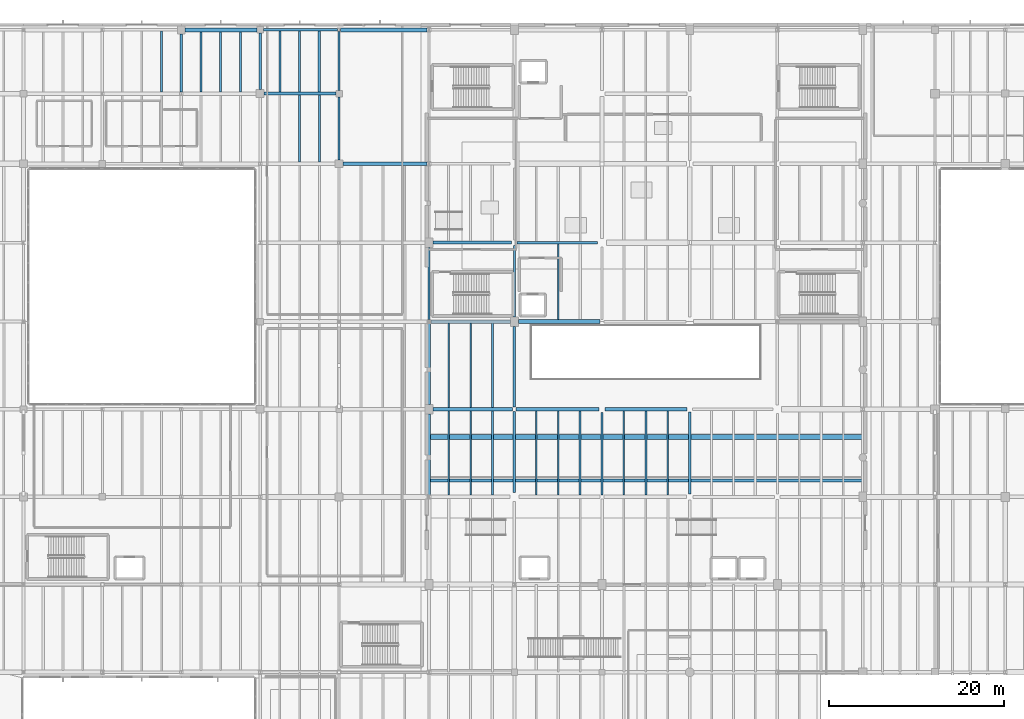
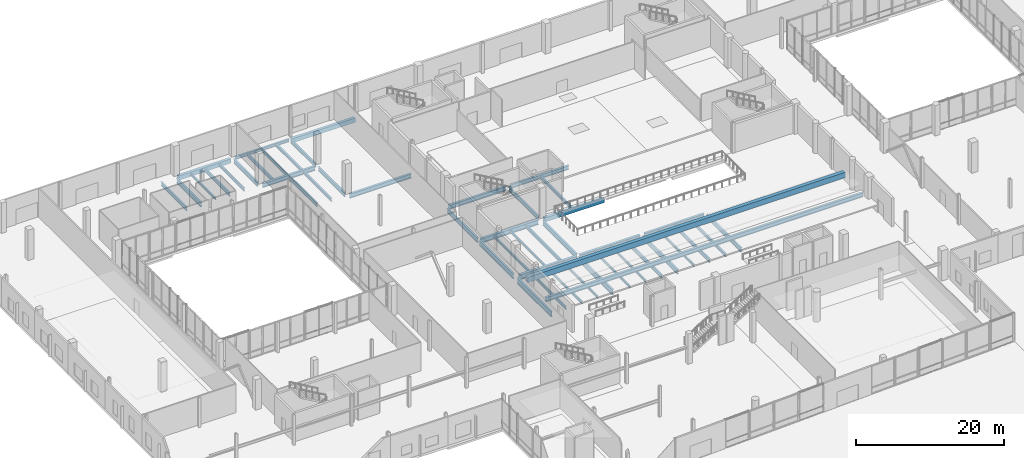
# One storey, part 43 of 88: 48 beams.
"""IFC4 building model written with IfcOpenShell, lengths in metres."""

from ifc_helpers import new_model, si_unit, direction, frame, origin, origin_2d, place, context, subcontext, project, spatial, rectangle, i_section, extrude, material, material_profile, profile_set, type_object, element, save


model = new_model("IFC4")

# Units and contexts
model_context = context("Model", 3, precision=1e-05, world=origin(), true_north=direction((0.0, 1.0)))
body_context = subcontext(model_context, "Body", "Model", "MODEL_VIEW")
ifc_project = project(units=[si_unit("LENGTHUNIT", "METRE"), si_unit("AREAUNIT", "SQUARE_METRE"), si_unit("VOLUMEUNIT", "CUBIC_METRE"), si_unit("PLANEANGLEUNIT", "RADIAN"), si_unit("MASSUNIT", "GRAM", prefix="KILO")], contexts=[model_context])

# Site, building, storey
site_placement = place(None, origin())
site = spatial("IfcSite", under=ifc_project, at=site_placement, CompositionType="ELEMENT")
building_placement = place(site_placement, origin())
building = spatial("IfcBuilding", under=site, at=building_placement, Name="Trimount Lyric Opera House", CompositionType="ELEMENT")
storey_placement = place(building_placement, origin())
storey = spatial("IfcBuildingStorey", under=building, at=storey_placement, Name="L00", CompositionType="ELEMENT", Elevation=0.0)

# Beams
ifc_material_1 = material(Name="Steel ASTM A992 Grade 50", Category="steel")
ifc_material_profile_1 = material_profile(ifc_material_1, i_section(OverallWidth=0.304931640625, OverallDepth=0.9189453125, WebThickness=0.017333984375, FlangeThickness=0.02783203125, FilletRadius=0.02001953125, at=origin_2d()), Name="W36X170")
ifc_profile_set_1 = profile_set([ifc_material_profile_1], Name="Steel ASTM A992 Grade 50")
beam_type_1 = type_object("IfcBeamType", Name="B-03", PredefinedType="BEAM", material=ifc_profile_set_1)
beam_1_placement = place(storey_placement, frame((64.260009765625, 64.232421875, -0.859619140625), z_axis=(0.0, 1.0, 0.0), x_axis=(-1.0, 0.0, 0.0)))
element("IfcBeam", 1, at=beam_1_placement, inside=storey, type_object=beam_type_1, Name="L00 girder Y-0316", PredefinedType="BEAM", context=body_context, shape_type="SweptSolid", body=[
    extrude(i_section(OverallWidth=0.304931640625, OverallDepth=0.9189453125, WebThickness=0.017333984375, FlangeThickness=0.02783203125, FilletRadius=0.02001953125, at=origin_2d()), origin(), (0.0, 0.0, 1.0), 9.217529296875),
])
ifc_material_2 = material(Name="Steel ASTM A992 Grade 50", Category="steel")
ifc_material_profile_2 = material_profile(ifc_material_2, i_section(OverallWidth=0.40087890625, OverallDepth=0.861083984375, WebThickness=0.019775390625, FlangeThickness=0.032470703125, FilletRadius=0.02001953125, at=origin_2d()), Name="W33X221")
ifc_profile_set_2 = profile_set([ifc_material_profile_2], Name="Steel ASTM A992 Grade 50")
beam_type_2 = type_object("IfcBeamType", Name="B-04", PredefinedType="BEAM", material=ifc_profile_set_2)
beam_2_placement = place(storey_placement, frame((64.7099609375, 74.0, -0.83056640625), z_axis=(1.0, 0.0, 0.0), x_axis=(0.0, 1.0, 0.0)))
element("IfcBeam", 2, at=beam_2_placement, inside=storey, type_object=beam_type_2, Name="L00 girder X-0148", PredefinedType="BEAM", context=body_context, shape_type="SweptSolid", body=[
    extrude(i_section(OverallWidth=0.40087890625, OverallDepth=0.861083984375, WebThickness=0.019775390625, FlangeThickness=0.032470703125, FilletRadius=0.02001953125, at=origin_2d()), origin(), (0.0, 0.0, 1.0), 9.0791015625),
])
ifc_material_3 = material(Name="Steel ASTM A992 Grade 50", Category="steel")
ifc_material_profile_3 = material_profile(ifc_material_3, i_section(OverallWidth=0.2919921875, OverallDepth=0.845947265625, WebThickness=0.015380859375, FlangeThickness=0.0244140625, FilletRadius=0.01806640625, at=origin_2d()), Name="W33X141")
ifc_profile_set_3 = profile_set([ifc_material_profile_3], Name="Steel ASTM A992 Grade 50")
beam_type_3 = type_object("IfcBeamType", Name="B-05", PredefinedType="BEAM", material=ifc_profile_set_3)
beam_3_placement = place(storey_placement, frame((64.260009765625, 74.550048828125, -0.822998046875), z_axis=(0.0, 1.0, 0.0), x_axis=(-1.0, 0.0, 0.0)))
element("IfcBeam", 3, at=beam_3_placement, inside=storey, type_object=beam_type_3, Name="L00 girder Y-0317", PredefinedType="BEAM", context=body_context, shape_type="SweptSolid", body=[
    extrude(i_section(OverallWidth=0.2919921875, OverallDepth=0.845947265625, WebThickness=0.015380859375, FlangeThickness=0.0244140625, FilletRadius=0.01806640625, at=origin_2d()), origin(), (0.0, 0.0, 1.0), 9.217529296875),
])
beam_4_placement = place(storey_placement, frame((74.0, 64.5, -0.822998046875), z_axis=(0.0, 1.0, 0.0), x_axis=(-1.0, 0.0, 0.0)))
element("IfcBeam", 4, at=beam_4_placement, inside=storey, type_object=beam_type_3, Name="L00 girder Y-0328", PredefinedType="BEAM", context=body_context, shape_type="SweptSolid", body=[
    extrude(i_section(OverallWidth=0.2919921875, OverallDepth=0.845947265625, WebThickness=0.015380859375, FlangeThickness=0.0244140625, FilletRadius=0.01806640625, at=origin_2d()), origin(), (0.0, 0.0, 1.0), 9.267578125),
])
ifc_material_4 = material(Name="Steel ASTM A992 Grade 50", Category="steel")
ifc_material_profile_4 = material_profile(ifc_material_4, i_section(OverallWidth=0.382080078125, OverallDepth=0.779052734375, WebThickness=0.01806640625, FlangeThickness=0.0302734375, FilletRadius=0.01904296875, at=origin_2d()), Name="W30X191")
ifc_profile_set_4 = profile_set([ifc_material_profile_4], Name="Steel ASTM A992 Grade 50")
beam_type_4 = type_object("IfcBeamType", Name="B-06", PredefinedType="BEAM", material=ifc_profile_set_4)
beam_5_placement = place(storey_placement, frame((74.2109375, 74.0, -0.78955078125), z_axis=(1.0, 0.0, 0.0), x_axis=(0.0, 1.0, 0.0)))
element("IfcBeam", 5, at=beam_5_placement, inside=storey, type_object=beam_type_4, Name="L00 girder X-0149", PredefinedType="BEAM", context=body_context, shape_type="SweptSolid", body=[
    extrude(i_section(OverallWidth=0.382080078125, OverallDepth=0.779052734375, WebThickness=0.01806640625, FlangeThickness=0.0302734375, FilletRadius=0.01904296875, at=origin_2d()), origin(), (0.0, 0.0, 1.0), 9.43896484375),
])
beam_6_placement = place(storey_placement, frame((64.470947265625, 84.0, -0.78955078125), z_axis=(1.0, 0.0, 0.0), x_axis=(0.0, 1.0, 0.0)))
element("IfcBeam", 6, at=beam_6_placement, inside=storey, type_object=beam_type_4, Name="L00 girder X-0164", PredefinedType="BEAM", context=body_context, shape_type="SweptSolid", body=[
    extrude(i_section(OverallWidth=0.382080078125, OverallDepth=0.779052734375, WebThickness=0.01806640625, FlangeThickness=0.0302734375, FilletRadius=0.01904296875, at=origin_2d()), origin(), (0.0, 0.0, 1.0), 9.0791015625),
])
ifc_material_5 = material(Name="Steel ASTM A992 Grade 50", Category="steel")
ifc_material_profile_5 = material_profile(ifc_material_5, i_section(OverallWidth=0.26708984375, OverallDepth=0.761962890625, WebThickness=0.014404296875, FlangeThickness=0.021484375, FilletRadius=0.01708984375, at=origin_2d()), Name="W30X116")
ifc_profile_set_5 = profile_set([ifc_material_profile_5], Name="Steel ASTM A992 Grade 50")
beam_type_5 = type_object("IfcBeamType", Name="B-07", PredefinedType="BEAM", material=ifc_profile_set_5)
beam_7_placement = place(storey_placement, frame((36.0, 110.18408203125, -0.73095703125), z_axis=(0.0, 1.0, 0.0), x_axis=(-1.0, 0.0, 0.0)))
element("IfcBeam", 7, at=beam_7_placement, inside=storey, type_object=beam_type_5, Name="L00 girder Y-0282", PredefinedType="BEAM", context=body_context, shape_type="SweptSolid", body=[
    extrude(i_section(OverallWidth=0.26708984375, OverallDepth=0.761962890625, WebThickness=0.014404296875, FlangeThickness=0.021484375, FilletRadius=0.01708984375, at=origin_2d()), origin(), (0.0, 0.0, 1.0), 6.64599609375),
])
beam_8_placement = place(storey_placement, frame((64.260009765625, 84.232421875, -0.781005859375), z_axis=(0.0, 1.0, 0.0), x_axis=(-1.0, 0.0, 0.0)))
element("IfcBeam", 8, at=beam_8_placement, inside=storey, type_object=beam_type_5, Name="L00 girder Y-0318", PredefinedType="BEAM", context=body_context, shape_type="SweptSolid", body=[
    extrude(i_section(OverallWidth=0.26708984375, OverallDepth=0.761962890625, WebThickness=0.014404296875, FlangeThickness=0.021484375, FilletRadius=0.01708984375, at=origin_2d()), origin(), (0.0, 0.0, 1.0), 8.217529296875),
])
beam_9_placement = place(storey_placement, frame((74.0, 74.232421875, -0.781005859375), z_axis=(0.0, 1.0, 0.0), x_axis=(-1.0, 0.0, 0.0)))
element("IfcBeam", 9, at=beam_9_placement, inside=storey, type_object=beam_type_5, Name="L00 girder Y-0329", PredefinedType="BEAM", context=body_context, shape_type="SweptSolid", body=[
    extrude(i_section(OverallWidth=0.26708984375, OverallDepth=0.761962890625, WebThickness=0.014404296875, FlangeThickness=0.021484375, FilletRadius=0.01708984375, at=origin_2d()), origin(), (0.0, 0.0, 1.0), 9.217529296875),
])
beam_10_placement = place(storey_placement, frame((84.0, 64.232421875, -0.781005859375), z_axis=(0.0, 1.0, 0.0), x_axis=(-1.0, 0.0, 0.0)))
element("IfcBeam", 10, at=beam_10_placement, inside=storey, type_object=beam_type_5, Name="L00 girder Y-0340", PredefinedType="BEAM", context=body_context, shape_type="SweptSolid", body=[
    extrude(i_section(OverallWidth=0.26708984375, OverallDepth=0.761962890625, WebThickness=0.014404296875, FlangeThickness=0.021484375, FilletRadius=0.01708984375, at=origin_2d()), origin(), (0.0, 0.0, 1.0), 9.41748046875),
])
ifc_material_6 = material(Name="Steel ASTM A992 Grade 50", Category="steel")
ifc_material_profile_6 = material_profile(ifc_material_6, i_section(OverallWidth=0.35595703125, OverallDepth=0.700927734375, WebThickness=0.016845703125, FlangeThickness=0.02734375, FilletRadius=0.01806640625, at=origin_2d()), Name="W27X161")
ifc_profile_set_6 = profile_set([ifc_material_profile_6], Name="Steel ASTM A992 Grade 50")
beam_type_6 = type_object("IfcBeamType", Name="B-08", PredefinedType="BEAM", material=ifc_profile_set_6)
beam_11_placement = place(storey_placement, frame((84.35009765625, 74.0, -0.75048828125), z_axis=(1.0, 0.0, 0.0), x_axis=(0.0, 1.0, 0.0)))
element("IfcBeam", 11, at=beam_11_placement, inside=storey, type_object=beam_type_6, Name="L00 girder X-0150", PredefinedType="BEAM", context=body_context, shape_type="SweptSolid", body=[
    extrude(i_section(OverallWidth=0.35595703125, OverallDepth=0.700927734375, WebThickness=0.016845703125, FlangeThickness=0.02734375, FilletRadius=0.01806640625, at=origin_2d()), origin(), (0.0, 0.0, 1.0), 9.324951171875),
])
beam_12_placement = place(storey_placement, frame((64.7099609375, 93.0, -0.75048828125), z_axis=(1.0, 0.0, 0.0), x_axis=(0.0, 1.0, 0.0)))
element("IfcBeam", 12, at=beam_12_placement, inside=storey, type_object=beam_type_6, Name="L00 girder X-0177", PredefinedType="BEAM", context=body_context, shape_type="SweptSolid", body=[
    extrude(i_section(OverallWidth=0.35595703125, OverallDepth=0.700927734375, WebThickness=0.016845703125, FlangeThickness=0.02734375, FilletRadius=0.01806640625, at=origin_2d()), origin(), (0.0, 0.0, 1.0), 8.965087890625),
])
beam_13_placement = place(storey_placement, frame((54.449951171875, 102.0, -0.75048828125), z_axis=(1.0, 0.0, 0.0), x_axis=(0.0, 1.0, 0.0)))
element("IfcBeam", 13, at=beam_13_placement, inside=storey, type_object=beam_type_6, Name="L00 girder X-0192", PredefinedType="BEAM", context=body_context, shape_type="SweptSolid", body=[
    extrude(i_section(OverallWidth=0.35595703125, OverallDepth=0.700927734375, WebThickness=0.016845703125, FlangeThickness=0.02734375, FilletRadius=0.01806640625, at=origin_2d()), origin(), (0.0, 0.0, 1.0), 9.59912109375),
])
beam_14_placement = place(storey_placement, frame((45.449951171875, 110.0, -0.700439453125), z_axis=(1.0, 0.0, 0.0), x_axis=(0.0, 1.0, 0.0)))
element("IfcBeam", 14, at=beam_14_placement, inside=storey, type_object=beam_type_6, Name="L00 girder X-0210", PredefinedType="BEAM", context=body_context, shape_type="SweptSolid", body=[
    extrude(i_section(OverallWidth=0.35595703125, OverallDepth=0.700927734375, WebThickness=0.016845703125, FlangeThickness=0.02734375, FilletRadius=0.01806640625, at=origin_2d()), origin(), (0.0, 0.0, 1.0), 8.175048828125),
])
ifc_material_7 = material(Name="Steel ASTM A992 Grade 50", Category="steel")
ifc_material_profile_7 = material_profile(ifc_material_7, i_section(OverallWidth=0.25390625, OverallDepth=0.68798828125, WebThickness=0.01318359375, FlangeThickness=0.02099609375, FilletRadius=0.01611328125, at=origin_2d()), Name="W27X102")
ifc_profile_set_7 = profile_set([ifc_material_profile_7], Name="Steel ASTM A992 Grade 50")
beam_type_7 = type_object("IfcBeamType", Name="B-09", PredefinedType="BEAM", material=ifc_profile_set_7)
beam_15_placement = place(storey_placement, frame((45.0, 110.449951171875, -0.694091796875), z_axis=(0.0, 1.0, 0.0), x_axis=(-1.0, 0.0, 0.0)))
element("IfcBeam", 15, at=beam_15_placement, inside=storey, type_object=beam_type_7, Name="L00 girder Y-0295", PredefinedType="BEAM", context=body_context, shape_type="SweptSolid", body=[
    extrude(i_section(OverallWidth=0.25390625, OverallDepth=0.68798828125, WebThickness=0.01318359375, FlangeThickness=0.02099609375, FilletRadius=0.01611328125, at=origin_2d()), origin(), (0.0, 0.0, 1.0), 6.455078125),
])
beam_16_placement = place(storey_placement, frame((54.0, 102.449951171875, -0.694091796875), z_axis=(0.0, 1.0, 0.0), x_axis=(-1.0, 0.0, 0.0)))
element("IfcBeam", 16, at=beam_16_placement, inside=storey, type_object=beam_type_7, Name="L00 girder Y-0307", PredefinedType="BEAM", context=body_context, shape_type="SweptSolid", body=[
    extrude(i_section(OverallWidth=0.25390625, OverallDepth=0.68798828125, WebThickness=0.01318359375, FlangeThickness=0.02099609375, FilletRadius=0.01611328125, at=origin_2d()), origin(), (0.0, 0.0, 1.0), 7.175048828125),
])
beam_17_placement = place(storey_placement, frame((74.0, 84.550048828125, -0.743896484375), z_axis=(0.0, 1.0, 0.0), x_axis=(-1.0, 0.0, 0.0)))
element("IfcBeam", 17, at=beam_17_placement, inside=storey, type_object=beam_type_7, Name="L00 girder Y-0330", PredefinedType="BEAM", context=body_context, shape_type="SweptSolid", body=[
    extrude(i_section(OverallWidth=0.25390625, OverallDepth=0.68798828125, WebThickness=0.01318359375, FlangeThickness=0.02099609375, FilletRadius=0.01611328125, at=origin_2d()), origin(), (0.0, 0.0, 1.0), 8.125),
])
beam_18_placement = place(storey_placement, frame((94.0, 64.35009765625, -0.743896484375), z_axis=(0.0, 1.0, 0.0), x_axis=(-1.0, 0.0, 0.0)))
element("IfcBeam", 18, at=beam_18_placement, inside=storey, type_object=beam_type_7, Name="L00 girder Y-0352", PredefinedType="BEAM", context=body_context, shape_type="SweptSolid", body=[
    extrude(i_section(OverallWidth=0.25390625, OverallDepth=0.68798828125, WebThickness=0.01318359375, FlangeThickness=0.02099609375, FilletRadius=0.01611328125, at=origin_2d()), origin(), (0.0, 0.0, 1.0), 9.324951171875),
])
ifc_material_8 = material(Name="Steel ASTM A992 Grade 50", Category="steel")
ifc_material_profile_8 = material_profile(ifc_material_8, i_section(OverallWidth=0.327880859375, OverallDepth=0.626953125, WebThickness=0.0166015625, FlangeThickness=0.027587890625, FilletRadius=0.01611328125, at=origin_2d()), Name="W24X146")
ifc_profile_set_8 = profile_set([ifc_material_profile_8], Name="Steel ASTM A992 Grade 50")
beam_type_8 = type_object("IfcBeamType", Name="B-10", PredefinedType="BEAM", material=ifc_profile_set_8)
beam_19_placement = place(storey_placement, frame((74.324951171875, 93.0, -0.71337890625), z_axis=(1.0, 0.0, 0.0), x_axis=(0.0, 1.0, 0.0)))
element("IfcBeam", 19, at=beam_19_placement, inside=storey, type_object=beam_type_8, Name="L00 girder X-0178", PredefinedType="BEAM", context=body_context, shape_type="SweptSolid", body=[
    extrude(i_section(OverallWidth=0.327880859375, OverallDepth=0.626953125, WebThickness=0.0166015625, FlangeThickness=0.027587890625, FilletRadius=0.01611328125, at=origin_2d()), origin(), (0.0, 0.0, 1.0), 9.175048828125),
])
ifc_material_9 = material(Name="Steel ASTM A992 Grade 50", Category="steel")
ifc_material_profile_9 = material_profile(ifc_material_9, i_section(OverallWidth=0.22998046875, OverallDepth=0.616943359375, WebThickness=0.01318359375, FlangeThickness=0.022216796875, FilletRadius=0.013916015625, at=origin_2d()), Name="W24X94")
ifc_profile_set_9 = profile_set([ifc_material_profile_9], Name="Steel ASTM A992 Grade 50")
beam_type_9 = type_object("IfcBeamType", Name="B-11", PredefinedType="BEAM", material=ifc_profile_set_9)
beam_20_placement = place(storey_placement, frame((54.0, 110.375, -0.658447265625), z_axis=(0.0, 1.0, 0.0), x_axis=(-1.0, 0.0, 0.0)))
element("IfcBeam", 20, at=beam_20_placement, inside=storey, type_object=beam_type_9, Name="L00 girder Y-0308", PredefinedType="BEAM", context=body_context, shape_type="SweptSolid", body=[
    extrude(i_section(OverallWidth=0.22998046875, OverallDepth=0.616943359375, WebThickness=0.01318359375, FlangeThickness=0.022216796875, FilletRadius=0.013916015625, at=origin_2d()), origin(), (0.0, 0.0, 1.0), 6.72705078125),
])
ifc_material_10 = material(Name="Steel ASTM A992 Grade 50", Category="steel")
ifc_material_profile_10 = material_profile(ifc_material_10, i_section(OverallWidth=0.22802734375, OverallDepth=0.60205078125, WebThickness=0.010498046875, FlangeThickness=0.014892578125, FilletRadius=0.012939453125, at=origin_2d()), Name="W24X68")
ifc_profile_set_10 = profile_set([ifc_material_profile_10], Name="Steel ASTM A992 Grade 50")
beam_type_10 = type_object("IfcBeamType", Name="J-01", PredefinedType="BEAM", material=ifc_profile_set_10)
beam_21_placement = place(storey_placement, frame((33.75, 110.196533203125, -0.65087890625), z_axis=(0.0, 1.0, 0.0), x_axis=(-1.0, 0.0, 0.0)))
element("IfcBeam", 21, at=beam_21_placement, inside=storey, type_object=beam_type_10, Name="L00 composite floor joist 0097", PredefinedType="BEAM", context=body_context, shape_type="SweptSolid", body=[
    extrude(i_section(OverallWidth=0.22802734375, OverallDepth=0.60205078125, WebThickness=0.010498046875, FlangeThickness=0.014892578125, FilletRadius=0.012939453125, at=origin_2d()), origin(), (0.0, 0.0, 1.0), 6.946533203125),
])
beam_22_placement = place(storey_placement, frame((40.5, 110.18701171875, -0.65087890625), z_axis=(0.0, 1.0, 0.0), x_axis=(-1.0, 0.0, 0.0)))
element("IfcBeam", 22, at=beam_22_placement, inside=storey, type_object=beam_type_10, Name="L00 composite floor joist 0114", PredefinedType="BEAM", context=body_context, shape_type="SweptSolid", body=[
    extrude(i_section(OverallWidth=0.22802734375, OverallDepth=0.60205078125, WebThickness=0.010498046875, FlangeThickness=0.014892578125, FilletRadius=0.012939453125, at=origin_2d()), origin(), (0.0, 0.0, 1.0), 6.8720703125),
])
beam_23_placement = place(storey_placement, frame((49.5, 102.18701171875, -0.65087890625), z_axis=(0.0, 1.0, 0.0), x_axis=(-1.0, 0.0, 0.0)))
element("IfcBeam", 23, at=beam_23_placement, inside=storey, type_object=beam_type_10, Name="L00 composite floor joist 0149", PredefinedType="BEAM", context=body_context, shape_type="SweptSolid", body=[
    extrude(i_section(OverallWidth=0.22802734375, OverallDepth=0.60205078125, WebThickness=0.010498046875, FlangeThickness=0.014892578125, FilletRadius=0.012939453125, at=origin_2d()), origin(), (0.0, 0.0, 1.0), 7.638916015625),
])
beam_24_placement = place(storey_placement, frame((47.25, 110.174072265625, -0.65087890625), z_axis=(0.0, 1.0, 0.0), x_axis=(-1.0, 0.0, 0.0)))
element("IfcBeam", 24, at=beam_24_placement, inside=storey, type_object=beam_type_10, Name="L00 composite floor joist 0151", PredefinedType="BEAM", context=body_context, shape_type="SweptSolid", body=[
    extrude(i_section(OverallWidth=0.22802734375, OverallDepth=0.60205078125, WebThickness=0.010498046875, FlangeThickness=0.014892578125, FilletRadius=0.012939453125, at=origin_2d()), origin(), (0.0, 0.0, 1.0), 6.968994140625),
])
for number, where, z_axis, x_axis, name in (
    (25, (71.5, 74.196533203125, -0.700927734375), (0.0, 1.0, 0.0), (-1.0, 0.0, 0.0), "L00 composite floor joist 0210"),
    (26, (81.5, 64.196533203125, -0.700927734375), (0.0, 1.0, 0.0), (-1.0, 0.0, 0.0), "L00 composite floor joist 0236"),
):
    element("IfcBeam", number, at=place(storey_placement, frame(where, z_axis=z_axis, x_axis=x_axis)), inside=storey, type_object=beam_type_10, Name=name, PredefinedType="BEAM", context=body_context, shape_type="SweptSolid", body=[
        extrude(i_section(OverallWidth=0.22802734375, OverallDepth=0.60205078125, WebThickness=0.010498046875, FlangeThickness=0.014892578125, FilletRadius=0.012939453125, at=origin_2d()), origin(), (0.0, 0.0, 1.0), 9.616455078125),
    ])
beam_25_placement = place(storey_placement, frame((89.0, 64.18701171875, -0.700927734375), z_axis=(0.0, 1.0, 0.0), x_axis=(-1.0, 0.0, 0.0)))
element("IfcBeam", 27, at=beam_25_placement, inside=storey, type_object=beam_type_10, Name="L00 composite floor joist 0264", PredefinedType="BEAM", context=body_context, shape_type="SweptSolid", body=[
    extrude(i_section(OverallWidth=0.22802734375, OverallDepth=0.60205078125, WebThickness=0.010498046875, FlangeThickness=0.014892578125, FilletRadius=0.012939453125, at=origin_2d()), origin(), (0.0, 0.0, 1.0), 9.638916015625),
])
ifc_material_11 = material(Name="Steel ASTM A992 Grade 50", Category="steel")
ifc_material_profile_11 = material_profile(ifc_material_11, i_section(OverallWidth=0.2099609375, OverallDepth=0.532958984375, WebThickness=0.01025390625, FlangeThickness=0.015625, FilletRadius=0.012939453125, at=origin_2d()), Name="W21X62")
ifc_profile_set_11 = profile_set([ifc_material_profile_11], Name="Steel ASTM A992 Grade 50")
beam_type_11 = type_object("IfcBeamType", Name="J-02", PredefinedType="BEAM", material=ifc_profile_set_11)
beam_26_placement = place(storey_placement, frame((42.75, 110.18701171875, -0.616455078125), z_axis=(0.0, 1.0, 0.0), x_axis=(-1.0, 0.0, 0.0)))
element("IfcBeam", 28, at=beam_26_placement, inside=storey, type_object=beam_type_11, Name="L00 composite floor joist 0115", PredefinedType="BEAM", context=body_context, shape_type="SweptSolid", body=[
    extrude(i_section(OverallWidth=0.2099609375, OverallDepth=0.532958984375, WebThickness=0.01025390625, FlangeThickness=0.015625, FilletRadius=0.012939453125, at=origin_2d()), origin(), (0.0, 0.0, 1.0), 6.8720703125),
])
beam_27_placement = place(storey_placement, frame((51.75, 102.18701171875, -0.616455078125), z_axis=(0.0, 1.0, 0.0), x_axis=(-1.0, 0.0, 0.0)))
element("IfcBeam", 29, at=beam_27_placement, inside=storey, type_object=beam_type_11, Name="L00 composite floor joist 0150", PredefinedType="BEAM", context=body_context, shape_type="SweptSolid", body=[
    extrude(i_section(OverallWidth=0.2099609375, OverallDepth=0.532958984375, WebThickness=0.01025390625, FlangeThickness=0.015625, FilletRadius=0.012939453125, at=origin_2d()), origin(), (0.0, 0.0, 1.0), 7.638916015625),
])
beam_28_placement = place(storey_placement, frame((49.5, 110.174072265625, -0.616455078125), z_axis=(0.0, 1.0, 0.0), x_axis=(-1.0, 0.0, 0.0)))
element("IfcBeam", 30, at=beam_28_placement, inside=storey, type_object=beam_type_11, Name="L00 composite floor joist 0152", PredefinedType="BEAM", context=body_context, shape_type="SweptSolid", body=[
    extrude(i_section(OverallWidth=0.2099609375, OverallDepth=0.532958984375, WebThickness=0.01025390625, FlangeThickness=0.015625, FilletRadius=0.012939453125, at=origin_2d()), origin(), (0.0, 0.0, 1.0), 6.968994140625),
])
beam_29_placement = place(storey_placement, frame((79.0, 84.220947265625, -0.66650390625), z_axis=(0.0, 1.0, 0.0), x_axis=(-1.0, 0.0, 0.0)))
element("IfcBeam", 31, at=beam_29_placement, inside=storey, type_object=beam_type_11, Name="L00 composite floor joist 0237", PredefinedType="BEAM", context=body_context, shape_type="SweptSolid", body=[
    extrude(i_section(OverallWidth=0.2099609375, OverallDepth=0.532958984375, WebThickness=0.01025390625, FlangeThickness=0.015625, FilletRadius=0.012939453125, at=origin_2d()), origin(), (0.0, 0.0, 1.0), 8.619140625),
])
beam_30_placement = place(storey_placement, frame((91.5, 64.18701171875, -0.66650390625), z_axis=(0.0, 1.0, 0.0), x_axis=(-1.0, 0.0, 0.0)))
element("IfcBeam", 32, at=beam_30_placement, inside=storey, type_object=beam_type_11, Name="L00 composite floor joist 0265", PredefinedType="BEAM", context=body_context, shape_type="SweptSolid", body=[
    extrude(i_section(OverallWidth=0.2099609375, OverallDepth=0.532958984375, WebThickness=0.01025390625, FlangeThickness=0.015625, FilletRadius=0.012939453125, at=origin_2d()), origin(), (0.0, 0.0, 1.0), 9.638916015625),
])
ifc_material_12 = material(Name="Steel ASTM A992 Grade 50", Category="steel")
ifc_material_profile_12 = material_profile(ifc_material_12, i_section(OverallWidth=0.281982421875, OverallDepth=0.467041015625, WebThickness=0.01220703125, FlangeThickness=0.01953125, FilletRadius=0.012939453125, at=origin_2d()), Name="W18X86")
ifc_profile_set_12 = profile_set([ifc_material_profile_12], Name="Steel ASTM A992 Grade 50")
beam_type_12 = type_object("IfcBeamType", Name="J-03", PredefinedType="BEAM", material=ifc_profile_set_12)
beam_31_placement = place(storey_placement, frame((51.75, 110.174072265625, -0.58349609375), z_axis=(0.0, 1.0, 0.0), x_axis=(-1.0, 0.0, 0.0)))
element("IfcBeam", 33, at=beam_31_placement, inside=storey, type_object=beam_type_12, Name="L00 composite floor joist 0153", PredefinedType="BEAM", context=body_context, shape_type="SweptSolid", body=[
    extrude(i_section(OverallWidth=0.281982421875, OverallDepth=0.467041015625, WebThickness=0.01220703125, FlangeThickness=0.01953125, FilletRadius=0.012939453125, at=origin_2d()), origin(), (0.0, 0.0, 1.0), 6.968994140625),
])
ifc_material_13 = material(Name="Steel ASTM A992 Grade 50", Category="steel")
ifc_material_profile_13 = material_profile(ifc_material_13, i_section(OverallWidth=0.19091796875, OverallDepth=0.45703125, WebThickness=0.009033203125, FlangeThickness=0.014404296875, FilletRadius=0.010986328125, at=origin_2d()), Name="W18X50")
ifc_profile_set_13 = profile_set([ifc_material_profile_13], Name="Steel ASTM A992 Grade 50")
beam_type_13 = type_object("IfcBeamType", Name="J-04", PredefinedType="BEAM", material=ifc_profile_set_13)
beam_32_placement = place(storey_placement, frame((66.5, 64.20556640625, -0.62841796875), z_axis=(0.0, 1.0, 0.0), x_axis=(-1.0, 0.0, 0.0)))
element("IfcBeam", 34, at=beam_32_placement, inside=storey, type_object=beam_type_13, Name="L00 composite floor joist 0205", PredefinedType="BEAM", context=body_context, shape_type="SweptSolid", body=[
    extrude(i_section(OverallWidth=0.19091796875, OverallDepth=0.45703125, WebThickness=0.009033203125, FlangeThickness=0.014404296875, FilletRadius=0.010986328125, at=origin_2d()), origin(), (0.0, 0.0, 1.0), 9.597900390625),
])
ifc_material_14 = material(Name="Steel ASTM A992 Grade 50", Category="steel")
ifc_material_profile_14 = material_profile(ifc_material_14, i_section(OverallWidth=0.180908203125, OverallDepth=0.4169921875, WebThickness=0.010986328125, FlangeThickness=0.018310546875, FilletRadius=0.010986328125, at=origin_2d()), Name="W16X57")
ifc_profile_set_14 = profile_set([ifc_material_profile_14], Name="Steel ASTM A992 Grade 50")
beam_type_14 = type_object("IfcBeamType", Name="J-05", PredefinedType="BEAM", material=ifc_profile_set_14)
beam_33_placement = place(storey_placement, frame((69.0, 64.20556640625, -0.6083984375), z_axis=(0.0, 1.0, 0.0), x_axis=(-1.0, 0.0, 0.0)))
element("IfcBeam", 35, at=beam_33_placement, inside=storey, type_object=beam_type_14, Name="L00 composite floor joist 0206", PredefinedType="BEAM", context=body_context, shape_type="SweptSolid", body=[
    extrude(i_section(OverallWidth=0.180908203125, OverallDepth=0.4169921875, WebThickness=0.010986328125, FlangeThickness=0.018310546875, FilletRadius=0.010986328125, at=origin_2d()), origin(), (0.0, 0.0, 1.0), 9.597900390625),
])
for number, where, z_axis, x_axis, name in (
    (36, (66.5, 74.196533203125, -0.6083984375), (0.0, 1.0, 0.0), (-1.0, 0.0, 0.0), "L00 composite floor joist 0208"),
    (37, (76.5, 64.196533203125, -0.6083984375), (0.0, 1.0, 0.0), (-1.0, 0.0, 0.0), "L00 composite floor joist 0234"),
):
    element("IfcBeam", number, at=place(storey_placement, frame(where, z_axis=z_axis, x_axis=x_axis)), inside=storey, type_object=beam_type_14, Name=name, PredefinedType="BEAM", context=body_context, shape_type="SweptSolid", body=[
        extrude(i_section(OverallWidth=0.180908203125, OverallDepth=0.4169921875, WebThickness=0.010986328125, FlangeThickness=0.018310546875, FilletRadius=0.010986328125, at=origin_2d()), origin(), (0.0, 0.0, 1.0), 9.616455078125),
    ])
ifc_material_15 = material(Name="Steel ASTM A992 Grade 50", Category="steel")
ifc_material_profile_15 = material_profile(ifc_material_15, i_section(OverallWidth=0.177978515625, OverallDepth=0.404052734375, WebThickness=0.007568359375, FlangeThickness=0.010986328125, FilletRadius=0.010009765625, at=origin_2d()), Name="W16X36")
ifc_profile_set_15 = profile_set([ifc_material_profile_15], Name="Steel ASTM A992 Grade 50")
beam_type_15 = type_object("IfcBeamType", Name="J-06", PredefinedType="BEAM", material=ifc_profile_set_15)
beam_34_placement = place(storey_placement, frame((38.25, 110.18701171875, -0.552001953125), z_axis=(0.0, 1.0, 0.0), x_axis=(-1.0, 0.0, 0.0)))
element("IfcBeam", 38, at=beam_34_placement, inside=storey, type_object=beam_type_15, Name="L00 composite floor joist 0113", PredefinedType="BEAM", context=body_context, shape_type="SweptSolid", body=[
    extrude(i_section(OverallWidth=0.177978515625, OverallDepth=0.404052734375, WebThickness=0.007568359375, FlangeThickness=0.010986328125, FilletRadius=0.010009765625, at=origin_2d()), origin(), (0.0, 0.0, 1.0), 6.8720703125),
])
beam_35_placement = place(storey_placement, frame((71.5, 64.20556640625, -0.60205078125), z_axis=(0.0, 1.0, 0.0), x_axis=(-1.0, 0.0, 0.0)))
element("IfcBeam", 39, at=beam_35_placement, inside=storey, type_object=beam_type_15, Name="L00 composite floor joist 0207", PredefinedType="BEAM", context=body_context, shape_type="SweptSolid", body=[
    extrude(i_section(OverallWidth=0.177978515625, OverallDepth=0.404052734375, WebThickness=0.007568359375, FlangeThickness=0.010986328125, FilletRadius=0.010009765625, at=origin_2d()), origin(), (0.0, 0.0, 1.0), 9.597900390625),
])
for number, where, z_axis, x_axis, name in (
    (40, (69.0, 74.196533203125, -0.60205078125), (0.0, 1.0, 0.0), (-1.0, 0.0, 0.0), "L00 composite floor joist 0209"),
    (41, (79.0, 64.196533203125, -0.60205078125), (0.0, 1.0, 0.0), (-1.0, 0.0, 0.0), "L00 composite floor joist 0235"),
):
    element("IfcBeam", number, at=place(storey_placement, frame(where, z_axis=z_axis, x_axis=x_axis)), inside=storey, type_object=beam_type_15, Name=name, PredefinedType="BEAM", context=body_context, shape_type="SweptSolid", body=[
        extrude(i_section(OverallWidth=0.177978515625, OverallDepth=0.404052734375, WebThickness=0.007568359375, FlangeThickness=0.010986328125, FilletRadius=0.010009765625, at=origin_2d()), origin(), (0.0, 0.0, 1.0), 9.616455078125),
    ])
beam_36_placement = place(storey_placement, frame((86.5, 64.18701171875, -0.60205078125), z_axis=(0.0, 1.0, 0.0), x_axis=(-1.0, 0.0, 0.0)))
element("IfcBeam", 42, at=beam_36_placement, inside=storey, type_object=beam_type_15, Name="L00 composite floor joist 0263", PredefinedType="BEAM", context=body_context, shape_type="SweptSolid", body=[
    extrude(i_section(OverallWidth=0.177978515625, OverallDepth=0.404052734375, WebThickness=0.007568359375, FlangeThickness=0.010986328125, FilletRadius=0.010009765625, at=origin_2d()), origin(), (0.0, 0.0, 1.0), 9.638916015625),
])
ifc_material_16 = material(Name="Steel ASTM A992 Grade 50", Category="steel")
ifc_material_profile_16 = material_profile(ifc_material_16, i_section(OverallWidth=0.35595703125, OverallDepth=0.700927734375, WebThickness=0.016845703125, FlangeThickness=0.02734375, FilletRadius=0.01806640625, at=origin_2d()), Name="W27X161")
ifc_profile_set_16 = profile_set([ifc_material_profile_16], Name="Steel ASTM A992 Grade 50")
beam_type_16 = type_object("IfcBeamType", Name="RK-01", PredefinedType="USERDEFINED", material=ifc_profile_set_16)
beam_37_placement = place(storey_placement, frame((64.179931640625, 65.85009765625, 0.626220703125), z_axis=(1.0, 0.0, 0.0), x_axis=(0.0, 1.0, 0.0)))
element("IfcBeam", 43, at=beam_37_placement, inside=storey, type_object=beam_type_16, Name="Main Opera Auditorium Stalls Front Rake raker 1", ObjectType="RAKER", PredefinedType="USERDEFINED", context=body_context, shape_type="SweptSolid", body=[
    extrude(i_section(OverallWidth=0.35595703125, OverallDepth=0.700927734375, WebThickness=0.016845703125, FlangeThickness=0.02734375, FilletRadius=0.01806640625, at=origin_2d()), origin(), (0.0, 0.0, 1.0), 49.64013671875),
])
ifc_material_17 = material(Name="Concrete C40/50", Category="concrete")
ifc_material_profile_17 = material_profile(ifc_material_17, rectangle(XDim=0.550048828125, YDim=0.89990234375, at=origin_2d()), Name="RC550X900")
ifc_profile_set_17 = profile_set([ifc_material_profile_17], Name="Concrete C40/50")
beam_type_17 = type_object("IfcBeamType", Name="RK-02", PredefinedType="USERDEFINED", material=ifc_profile_set_17)
beam_38_placement = place(storey_placement, frame((64.179931640625, 70.85009765625, 0.9453125), z_axis=(1.0, 0.0, 0.0), x_axis=(0.0, 1.0, 0.0)))
element("IfcBeam", 44, at=beam_38_placement, inside=storey, type_object=beam_type_17, Name="Main Opera Auditorium Stalls Rear Rake raker 1", ObjectType="RAKER", PredefinedType="USERDEFINED", context=body_context, shape_type="SweptSolid", body=[
    extrude(rectangle(XDim=0.550048828125, YDim=0.89990234375, at=origin_2d()), origin(), (0.0, 0.0, 1.0), 49.64013671875),
])
ifc_material_18 = material(Name="Steel ASTM A992 Grade 50", Category="steel")
ifc_material_profile_18 = material_profile(ifc_material_18, i_section(OverallWidth=0.281982421875, OverallDepth=0.467041015625, WebThickness=0.01220703125, FlangeThickness=0.01953125, FilletRadius=0.012939453125, at=origin_2d()), Name="W18X86")
ifc_profile_set_18 = profile_set([ifc_material_profile_18], Name="Steel ASTM A992 Grade 50")
beam_type_18 = type_object("IfcBeamType", Name="SP-01", PredefinedType="SPANDREL", material=ifc_profile_set_18)
beam_39_placement = place(storey_placement, frame((45.375, 117.280029296875, -0.58349609375), z_axis=(1.0, 0.0, 0.0), x_axis=(0.0, 1.0, 0.0)))
element("IfcBeam", 45, at=beam_39_placement, inside=storey, type_object=beam_type_18, Name="L00 girder X-0223", PredefinedType="SPANDREL", context=body_context, shape_type="SweptSolid", body=[
    extrude(i_section(OverallWidth=0.281982421875, OverallDepth=0.467041015625, WebThickness=0.01220703125, FlangeThickness=0.01953125, FilletRadius=0.012939453125, at=origin_2d()), origin(), (0.0, 0.0, 1.0), 8.44091796875),
])
ifc_material_19 = material(Name="Concrete C40/50", Category="concrete")
ifc_material_profile_19 = material_profile(ifc_material_19, rectangle(XDim=0.449951171875, YDim=0.699951171875, at=origin_2d()), Name="RC450X700")
ifc_profile_set_19 = profile_set([ifc_material_profile_19], Name="Concrete C40/50")
beam_type_19 = type_object("IfcBeamType", Name="SP-02", PredefinedType="SPANDREL", material=ifc_profile_set_19)
beam_40_placement = place(storey_placement, frame((74.449951171875, 84.0, -0.75), z_axis=(1.0, 0.0, 0.0), x_axis=(0.0, 1.0, 0.0)))
element("IfcBeam", 46, at=beam_40_placement, inside=storey, type_object=beam_type_19, Name="L00 girder X-0165", PredefinedType="SPANDREL", context=body_context, shape_type="SweptSolid", body=[
    extrude(rectangle(XDim=0.449951171875, YDim=0.699951171875, at=origin_2d()), origin(), (0.0, 0.0, 1.0), 9.339111328125),
])
beam_41_placement = place(storey_placement, frame((36.449951171875, 117.280029296875, -0.699951171875), z_axis=(1.0, 0.0, 0.0), x_axis=(0.0, 1.0, 0.0)))
element("IfcBeam", 47, at=beam_41_placement, inside=storey, type_object=beam_type_19, Name="L00 girder X-0222", PredefinedType="SPANDREL", context=body_context, shape_type="SweptSolid", body=[
    extrude(rectangle(XDim=0.449951171875, YDim=0.699951171875, at=origin_2d()), origin(), (0.0, 0.0, 1.0), 8.175048828125),
])
beam_42_placement = place(storey_placement, frame((54.18408203125, 117.280029296875, -0.75), z_axis=(1.0, 0.0, 0.0), x_axis=(0.0, 1.0, 0.0)))
element("IfcBeam", 48, at=beam_42_placement, inside=storey, type_object=beam_type_19, Name="L00 girder X-0224", PredefinedType="SPANDREL", context=body_context, shape_type="SweptSolid", body=[
    extrude(rectangle(XDim=0.449951171875, YDim=0.699951171875, at=origin_2d()), origin(), (0.0, 0.0, 1.0), 9.864990234375),
])

save(model, "model.ifc")
